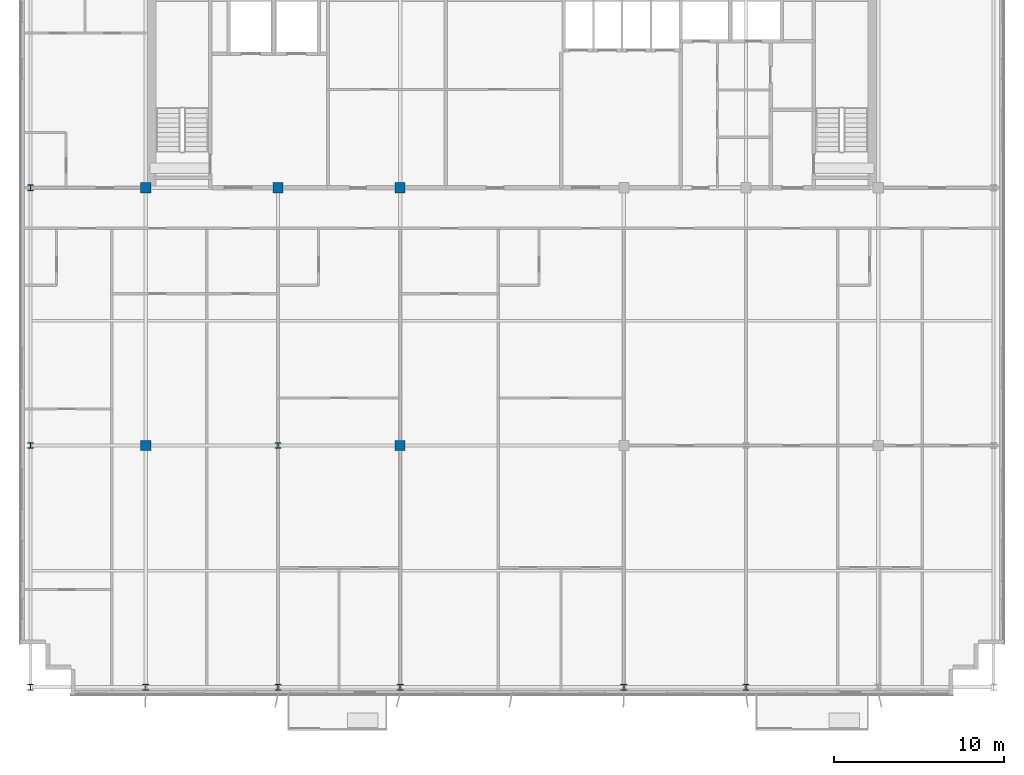
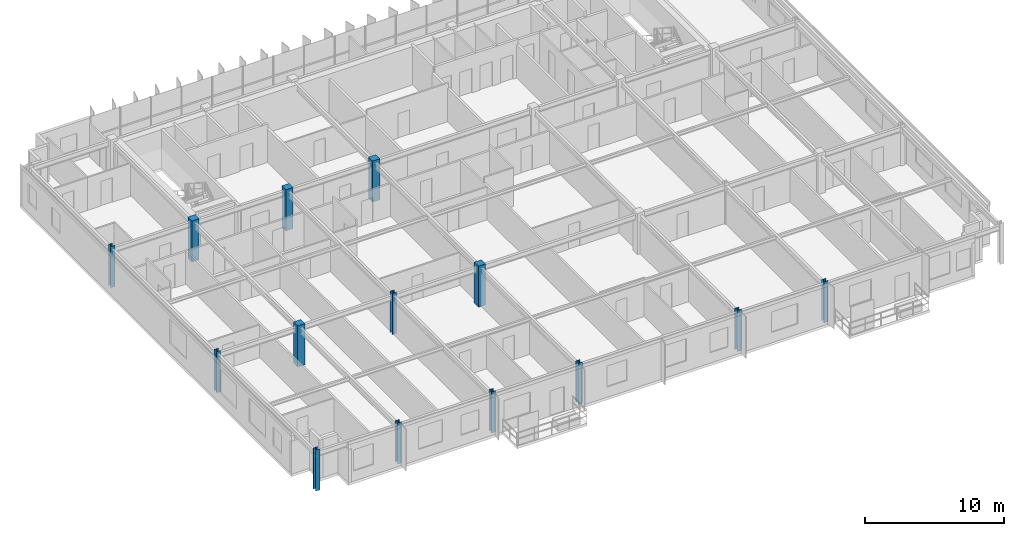
# One storey, part 1 of 23: 14 columns.
"""IFC4 building model written with IfcOpenShell, lengths in metres."""

import ifcopenshell
import ifcopenshell.guid

model = None  # the IFC model being written
_history = None  # IfcOwnerHistory: only IFC2X3 demands one
_inside = {}  # id of a spatial element -> (the spatial element, [elements in it])
_under = {}  # id of a project, library or spatial element -> (it, [spatial elements below it])
_declared = {}  # id of a project -> (the project, [libraries it declares])
_typed = {}  # id of a type object -> (the type object, [elements of that type])
_made_of = {}  # id of a material, layer set ... -> (it, [elements and type objects made of it])


def new_model(schema):
    """Start an empty IFC model of exactly this schema.

    Asked for "IFC4X3", IfcOpenShell would pick the latest addendum, in which some entities
    have other attributes; the version numbers below select the first issue.
    IFC2X3 requires an IfcOwnerHistory on every rooted entity: one is made here for all.
    """
    global model, _history
    if schema == "IFC4X3":
        model = ifcopenshell.file(schema_version=(4, 3, 0, 0))
    else:
        model = ifcopenshell.file(schema=schema)
    _inside.clear()
    _under.clear()
    _declared.clear()
    _typed.clear()
    _made_of.clear()
    _history = None
    if model.schema == "IFC2X3":
        org = make("IfcOrganization", Name="unknown")
        user = make(
            "IfcPersonAndOrganization",
            ThePerson=make("IfcPerson", FamilyName="unknown"),
            TheOrganization=org,
        )
        app = make(
            "IfcApplication",
            ApplicationDeveloper=org,
            Version="unknown",
            ApplicationFullName="unknown",
            ApplicationIdentifier="unknown",
        )
        _history = make(
            "IfcOwnerHistory",
            OwningUser=user,
            OwningApplication=app,
            ChangeAction="ADDED",
            CreationDate=0,
        )
    return model


def make(cls, **values):
    """One entity of the class cls with the attributes given. An attribute that is None is left unset."""
    return model.create_entity(
        cls, **{name: value for name, value in values.items() if value is not None}
    )


def rooted(cls, **values):
    """An entity with a GlobalId (a new one), such as an element, a storey or a relation."""
    return make(cls, GlobalId=ifcopenshell.guid.new(), OwnerHistory=_history, **values)


def si_unit(unit_type, name, prefix=None):
    """IfcSIUnit, for example si_unit("LENGTHUNIT", "METRE", prefix="MILLI")."""
    return make("IfcSIUnit", UnitType=unit_type, Prefix=prefix, Name=name)


def assignment(units):
    """IfcUnitAssignment: the units of a project."""
    return None if units is None else make("IfcUnitAssignment", Units=units)


def point(xyz):
    """IfcCartesianPoint."""
    return None if xyz is None else make("IfcCartesianPoint", Coordinates=xyz)


def direction(xyz):
    """IfcDirection."""
    return None if xyz is None else make("IfcDirection", DirectionRatios=xyz)


def frame(location, z_axis=None, x_axis=None):
    """IfcAxis2Placement3D, a coordinate frame: its origin and axes. An axis left out is left unset."""
    return make(
        "IfcAxis2Placement3D",
        Location=point(location),
        Axis=direction(z_axis),
        RefDirection=direction(x_axis),
    )


def frame_2d(location, x_axis=None):
    """IfcAxis2Placement2D, a coordinate frame in the plane: its origin and x axis."""
    return make(
        "IfcAxis2Placement2D", Location=point(location), RefDirection=direction(x_axis)
    )


def origin():
    """The frame at (0, 0, 0) with its axes left unset."""
    return frame((0.0, 0.0, 0.0))


def origin_2d():
    """The frame at (0, 0) in the plane with its x axis left unset."""
    return frame_2d((0.0, 0.0))


def place(relative_to, where):
    """IfcLocalPlacement: puts the frame where relative to a parent placement (None: the world)."""
    return make(
        "IfcLocalPlacement", PlacementRelTo=relative_to, RelativePlacement=where
    )


def context(
    kind, dimensions, precision=None, world=None, true_north=None, identifier=None
):
    """IfcGeometricRepresentationContext, for example the 3D "Model" context."""
    return make(
        "IfcGeometricRepresentationContext",
        ContextIdentifier=identifier,
        ContextType=kind,
        CoordinateSpaceDimension=dimensions,
        Precision=precision,
        WorldCoordinateSystem=world,
        TrueNorth=true_north,
    )


def subcontext(parent, identifier, kind, view, scale=None):
    """IfcGeometricRepresentationSubContext, for example "Body" below "Model"."""
    return make(
        "IfcGeometricRepresentationSubContext",
        ContextIdentifier=identifier,
        ContextType=kind,
        ParentContext=parent,
        TargetScale=scale,
        TargetView=view,
    )


def project(units=None, contexts=None):
    """IfcProject with its units and contexts."""
    return rooted(
        "IfcProject",
        Name="project",
        RepresentationContexts=contexts,
        UnitsInContext=assignment(units),
    )


def spatial(cls, under=None, at=None, **own):
    """A site, building, storey or space (cls), placed at a placement, below another one or the project."""
    s = rooted(cls, ObjectPlacement=at, **own)
    if under is not None:
        _under.setdefault(under.id(), (under, []))[1].append(s)
    return s


def profile(cls, at=None, kind="AREA", **sizes):
    """A parametric profile (cls). Its sizes go by their IFC names, for example OverallWidth=200.0."""
    return make(cls, ProfileType=kind, Position=at, **sizes)


def rectangle(**sizes):
    """IfcRectangleProfileDef."""
    return profile("IfcRectangleProfileDef", **sizes)


def i_section(**sizes):
    """IfcIShapeProfileDef."""
    return profile("IfcIShapeProfileDef", **sizes)


def extrude(swept, where, along, depth):
    """IfcExtrudedAreaSolid: the profile swept, set in the frame where, extruded along a direction by depth."""
    return make(
        "IfcExtrudedAreaSolid",
        SweptArea=swept,
        Position=where,
        ExtrudedDirection=direction(along),
        Depth=depth,
    )


def shape(context_of_items, identifier, shape_type, items):
    """IfcShapeRepresentation: the items that make up one representation, for example the "Body"."""
    return make(
        "IfcShapeRepresentation",
        ContextOfItems=context_of_items,
        RepresentationIdentifier=identifier,
        RepresentationType=shape_type,
        Items=items,
    )


def source(mapping_origin, context_of_items, identifier, shape_type, items):
    """IfcRepresentationMap: a shape defined once, which mapped items show again and again."""
    return make(
        "IfcRepresentationMap",
        MappingOrigin=mapping_origin,
        MappedRepresentation=shape(context_of_items, identifier, shape_type, items),
    )


def transform(
    local_origin,
    x_axis=None,
    y_axis=None,
    z_axis=None,
    scale=None,
    scale2=None,
    scale3=None,
    uniform=True,
):
    """IfcCartesianTransformationOperator3D, or its non-uniform kind. x_axis, y_axis, z_axis: its Axis1, 2, 3."""
    if uniform:
        return make(
            "IfcCartesianTransformationOperator3D",
            Axis1=direction(x_axis),
            Axis2=direction(y_axis),
            LocalOrigin=point(local_origin),
            Scale=scale,
            Axis3=direction(z_axis),
        )
    return make(
        "IfcCartesianTransformationOperator3DnonUniform",
        Axis1=direction(x_axis),
        Axis2=direction(y_axis),
        LocalOrigin=point(local_origin),
        Scale=scale,
        Axis3=direction(z_axis),
        Scale2=scale2,
        Scale3=scale3,
    )


def mapped(mapping_source, mapping_target):
    """IfcMappedItem: shows the shape of a source again, moved by a transform."""
    return make(
        "IfcMappedItem", MappingSource=mapping_source, MappingTarget=mapping_target
    )


def material(Name=None, Category=None):
    """IfcMaterial."""
    return make("IfcMaterial", Name=Name, Category=Category)


def material_profile(
    of_material, cross_section, Name=None, Category=None, Priority=None
):
    """IfcMaterialProfile: a cross section and its material."""
    return make(
        "IfcMaterialProfile",
        Name=Name,
        Material=of_material,
        Profile=cross_section,
        Priority=Priority,
        Category=Category,
    )


def profile_set(profiles, Name=None, composite=None):
    """IfcMaterialProfileSet."""
    return make(
        "IfcMaterialProfileSet",
        Name=Name,
        MaterialProfiles=profiles,
        CompositeProfile=composite,
    )


def made_of(thing, what):
    """Note that an element or type object is made of a material, layer set ...; save() writes the relation."""
    if what is not None:
        _made_of.setdefault(what.id(), (what, []))[1].append(thing)
    return thing


def type_object(cls, material=None, **own):
    """A type object (cls), such as IfcWallType, which elements share."""
    return made_of(rooted(cls, **own), material)


def element(
    cls,
    number,
    at=None,
    inside=None,
    cuts=None,
    type_object=None,
    material=None,
    context=None,
    identifier="Body",
    shape_type=None,
    held_by="IfcProductDefinitionShape",
    body=None,
    shapes=None,
    **own,
):
    """One element of the class cls, such as IfcWall. Its Tag is "e" and its number.

    at: its placement. inside: the storey or other place that contains it. cuts: it is an
    opening in that element (IfcRelVoidsElement). A single representation is given by context,
    identifier, shape_type and body (its items); several are given by shapes. held_by: the class
    of the entity that holds the representations. save() writes the other relations.
    """
    e = rooted(cls, Tag="e%d" % number, ObjectPlacement=at, **own)
    if body is not None:
        shapes = [shape(context, identifier, shape_type, body)]
    if shapes is not None:
        e.Representation = make(held_by, Representations=shapes)
    if inside is not None:
        _inside.setdefault(inside.id(), (inside, []))[1].append(e)
    if cuts is not None:
        rooted(
            "IfcRelVoidsElement", RelatingBuildingElement=cuts, RelatedOpeningElement=e
        )
    if type_object is not None:
        _typed.setdefault(type_object.id(), (type_object, []))[1].append(e)
    return made_of(e, material)


def aggregate(whole, parts):
    """IfcRelAggregates: a whole, such as a stair, and the parts it consists of."""
    return rooted("IfcRelAggregates", RelatingObject=whole, RelatedObjects=parts)


def save(model, path):
    """Write the relations noted so far, then the file.

    IfcRelAggregates (storeys below a building ...), IfcRelContainedInSpatialStructure (elements
    in a storey), IfcRelDefinesByType, IfcRelAssociatesMaterial and IfcRelDeclares: one each for
    every whole, place, type object, material and project.
    """
    for whole, parts in _under.values():
        aggregate(whole, parts)
    for where, things in _inside.values():
        rooted(
            "IfcRelContainedInSpatialStructure",
            RelatedElements=things,
            RelatingStructure=where,
        )
    for kind, things in _typed.values():
        rooted("IfcRelDefinesByType", RelatedObjects=things, RelatingType=kind)
    for what, things in _made_of.values():
        rooted("IfcRelAssociatesMaterial", RelatedObjects=things, RelatingMaterial=what)
    for by, libraries in _declared.values():
        rooted("IfcRelDeclares", RelatingContext=by, RelatedDefinitions=libraries)
    model.write(path)


model = new_model("IFC4")

# Units and contexts
model_context = context("Model", 3, precision=1e-05, world=origin(), true_north=direction((0.0, 1.0)))
body_context = subcontext(model_context, "Body", "Model", "MODEL_VIEW")
ifc_project = project(units=[si_unit("LENGTHUNIT", "METRE"), si_unit("AREAUNIT", "SQUARE_METRE"), si_unit("VOLUMEUNIT", "CUBIC_METRE"), si_unit("PLANEANGLEUNIT", "RADIAN"), si_unit("MASSUNIT", "GRAM", prefix="KILO")], contexts=[model_context])

# Site, building, storey
site_placement = place(None, origin())
site = spatial("IfcSite", under=ifc_project, at=site_placement, CompositionType="ELEMENT")
building_placement = place(site_placement, origin())
building = spatial("IfcBuilding", under=site, at=building_placement, Name="Trelvane Seafront Commons", CompositionType="ELEMENT")
storey_placement = place(building_placement, frame((0.0, 0.0, 259.5)))
storey = spatial("IfcBuildingStorey", under=building, at=storey_placement, Name="L67", CompositionType="ELEMENT", Elevation=259.5)

# Columns
ifc_material_1 = material(Name="Steel SM355 (S355)", Category="steel")
ifc_material_profile_1 = material_profile(ifc_material_1, i_section(OverallWidth=0.35009765625, OverallDepth=0.35009765625, WebThickness=0.01806640625, FlangeThickness=0.028076171875, at=origin_2d()), Name="HD-350x350x18x28")
ifc_profile_set_1 = profile_set([ifc_material_profile_1], Name="Steel SM355 (S355)")
column_type_1 = type_object("IfcColumnType", Name="STR-COL-HD350", PredefinedType="COLUMN", material=ifc_profile_set_1)
shared_shape_1 = source(origin(), body_context, "Body", "SweptSolid", [
    extrude(i_section(OverallWidth=0.35009765625, OverallDepth=0.35009765625, WebThickness=0.01806640625, FlangeThickness=0.028076171875, at=origin_2d()), origin(), (0.0, 0.0, 1.0), 3.60009765625),
])
for number, where, z_axis, x_axis, name in (
    (1, (8.800048828125, 3.949951171875, 0.0), (0.0, 0.0, 1.0), (1.0, 0.0, 0.0), "L67 Column TC-S8.8"),
    (2, (8.800048828125, 18.199951171875, 0.0), (0.0, 0.0, 1.0), (1.0, 0.0, 0.0), "L67 Column TC-M8.8"),
    (3, (8.800048828125, 33.39990234375, 0.0), (0.0, 0.0, 1.0), (1.0, 0.0, 0.0), "L67 Column TC-CS8.8"),
    (4, (15.60009765625, 3.949951171875, 0.0), (0.0, 0.0, 1.0), (1.0, 0.0, 0.0), "L67 Column TC-S15.6"),
    (5, (23.39990234375, 3.949951171875, 0.0), (0.0, 0.0, 1.0), (1.0, 0.0, 0.0), "L67 Column TC-S23.4"),
    (6, (23.39990234375, 18.199951171875, 0.0), (0.0, 0.0, 1.0), (1.0, 0.0, 0.0), "L67 Column TC-M23.4"),
    (7, (30.60009765625, 3.949951171875, 0.0), (0.0, 0.0, 1.0), (1.0, 0.0, 0.0), "L67 Column TC-S30.6"),
    (8, (43.800048828125, 3.949951171875, 0.0), (0.0, 0.0, 1.0), (1.0, 0.0, 0.0), "L67 Column TC-S43.8"),
    (9, (51.0, 3.949951171875, 0.0), (0.0, 0.0, 1.0), (1.0, 0.0, 0.0), "L67 Column TC-S51.0"),
):
    element("IfcColumn", number, at=place(storey_placement, frame(where, z_axis=z_axis, x_axis=x_axis)), inside=storey, type_object=column_type_1, Name=name, PredefinedType="COLUMN", context=body_context, shape_type="MappedRepresentation", body=[
        mapped(shared_shape_1, transform((0.0, 0.0, 0.0), x_axis=(1.0, 0.0, 0.0), y_axis=(0.0, 1.0, 0.0), z_axis=(0.0, 0.0, 1.0), scale=1.0)),
    ])
ifc_material_2 = material(Name="Concrete C50/60", Category="concrete")
ifc_material_profile_2 = material_profile(ifc_material_2, rectangle(XDim=0.60009765625, YDim=0.60009765625, at=origin_2d()), Name="RC-600x600")
ifc_profile_set_2 = profile_set([ifc_material_profile_2], Name="Concrete C50/60")
column_type_2 = type_object("IfcColumnType", Name="STR-COL-RC600", PredefinedType="COLUMN", material=ifc_profile_set_2)
shared_shape_2 = source(origin(), body_context, "Body", "SweptSolid", [
    extrude(rectangle(XDim=0.60009765625, YDim=0.60009765625, at=origin_2d()), origin(), (0.0, 0.0, 1.0), 3.60009765625),
])
for number, where, z_axis, x_axis, name in (
    (10, (15.60009765625, 18.199951171875, 0.0), (0.0, 0.0, 1.0), (1.0, 0.0, 0.0), "L67 Column TC-M15.6"),
    (11, (15.60009765625, 33.39990234375, 0.0), (0.0, 0.0, 1.0), (1.0, 0.0, 0.0), "L67 Column TC-CS15.6"),
    (12, (23.39990234375, 33.39990234375, 0.0), (0.0, 0.0, 1.0), (1.0, 0.0, 0.0), "L67 Column TC-CS23.4"),
    (13, (30.60009765625, 18.199951171875, 0.0), (0.0, 0.0, 1.0), (1.0, 0.0, 0.0), "L67 Column TC-M30.6"),
    (14, (30.60009765625, 33.39990234375, 0.0), (0.0, 0.0, 1.0), (1.0, 0.0, 0.0), "L67 Column TC-CS30.6"),
):
    element("IfcColumn", number, at=place(storey_placement, frame(where, z_axis=z_axis, x_axis=x_axis)), inside=storey, type_object=column_type_2, Name=name, PredefinedType="COLUMN", context=body_context, shape_type="MappedRepresentation", body=[
        mapped(shared_shape_2, transform((0.0, 0.0, 0.0), x_axis=(1.0, 0.0, 0.0), y_axis=(0.0, 1.0, 0.0), z_axis=(0.0, 0.0, 1.0), scale=1.0)),
    ])

save(model, "model.ifc")
